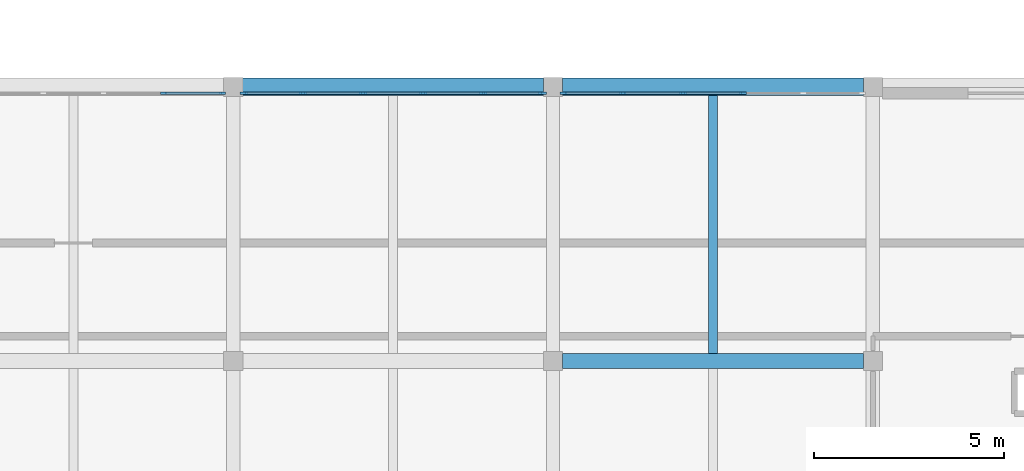
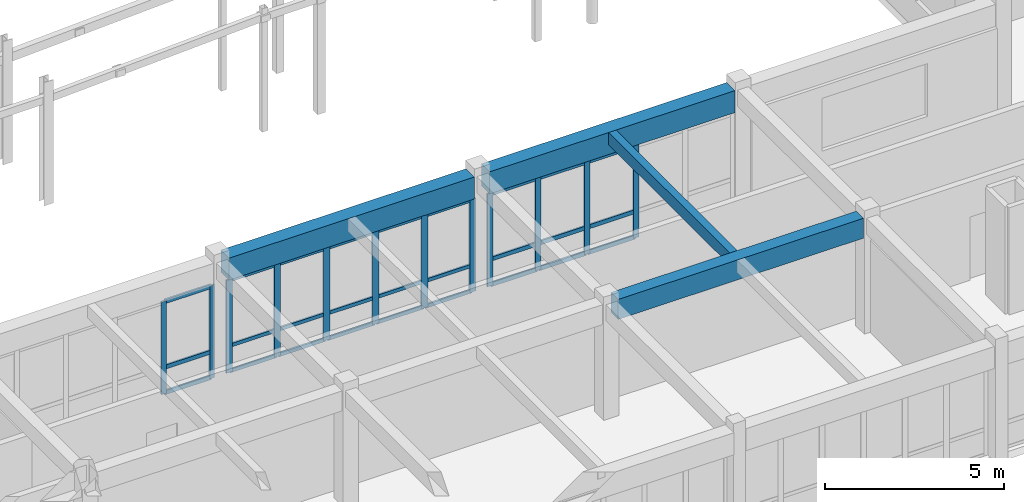
# One storey, part 32 of 89: 39 members, 4 beams, 3 elements without a shape of their own.
"""IFC4 building model written with IfcOpenShell, lengths in metres."""

from ifc_helpers import new_model, si_unit, direction, frame, origin, origin_2d, place, context, subcontext, project, spatial, rectangle, extrude, material, material_profile, profile_set, type_object, element, aggregate, save


model = new_model("IFC4")

# Units and contexts
model_context = context("Model", 3, precision=1e-05, world=origin(), true_north=direction((0.0, 1.0)))
body_context = subcontext(model_context, "Body", "Model", "MODEL_VIEW")
ifc_project = project(units=[si_unit("LENGTHUNIT", "METRE"), si_unit("AREAUNIT", "SQUARE_METRE"), si_unit("VOLUMEUNIT", "CUBIC_METRE"), si_unit("PLANEANGLEUNIT", "RADIAN"), si_unit("MASSUNIT", "GRAM", prefix="KILO")], contexts=[model_context])

# Site, building, storey
site_placement = place(None, origin())
site = spatial("IfcSite", under=ifc_project, at=site_placement, CompositionType="ELEMENT")
building_placement = place(site_placement, origin())
building = spatial("IfcBuilding", under=site, at=building_placement, Name="Malvenik Polytechnic", CompositionType="ELEMENT")
storey_placement = place(building_placement, frame((0.0, 0.0, 13.5)))
storey = spatial("IfcBuildingStorey", under=building, at=storey_placement, Name="L03", CompositionType="ELEMENT", Elevation=13.5)

# Curtain wall, members
ifc_material_1 = material(Name="Anodised aluminium 6060-T6", Category="aluminium")
curtain_wall_type = type_object("IfcCurtainWallType", Name="ARC-CW-CW-02", PredefinedType="NOTDEFINED", material=ifc_material_1)
curtain_wall_1_placement = place(storey_placement, origin())
curtain_wall_1 = element("IfcCurtainWall", 1, at=curtain_wall_1_placement, inside=storey, type_object=curtain_wall_type, Name="Unitised Curtain Wall CW-02 L03 #164", PredefinedType="NOTDEFINED")
ifc_material_2 = material(Name="Anodised aluminium", Category="aluminium")
ifc_material_profile_1 = material_profile(ifc_material_2, rectangle(XDim=0.06005859375, YDim=0.159912109375, at=origin_2d()), Name="ALU MULLION 60x160")
ifc_profile_set_1 = profile_set([ifc_material_profile_1], Name="Anodised aluminium")
member_type_1 = type_object("IfcMemberType", Name="ARC-CWM-160", PredefinedType="MULLION", material=ifc_profile_set_1)
member_1_placement = place(storey_placement, frame((48.5712890625, 93.429931640625, 0.0), z_axis=(0.0, 0.0, 1.0), x_axis=(0.0, 1.0, 0.0)))
member_1 = element("IfcMember", 2, at=member_1_placement, type_object=member_type_1, Name="CW-02 mullion 5", PredefinedType="MULLION", context=body_context, shape_type="SweptSolid", body=[
    extrude(rectangle(XDim=0.06005859375, YDim=0.159912109375, at=origin_2d()), origin(), (0.0, 0.0, 1.0), 3.159912109375),
])
member_2_placement = place(storey_placement, frame((50.1220703125, 93.429931640625, 0.0), z_axis=(0.0, 0.0, 1.0), x_axis=(0.0, 1.0, 0.0)))
member_2 = element("IfcMember", 3, at=member_2_placement, type_object=member_type_1, Name="CW-02 mullion 6", PredefinedType="MULLION", context=body_context, shape_type="SweptSolid", body=[
    extrude(rectangle(XDim=0.06005859375, YDim=0.159912109375, at=origin_2d()), origin(), (0.0, 0.0, 1.0), 3.159912109375),
])

curtain_wall_2_placement = place(storey_placement, origin())
curtain_wall_2 = element("IfcCurtainWall", 4, at=curtain_wall_2_placement, inside=storey, type_object=curtain_wall_type, Name="Unitised Curtain Wall CW-02 L03 #166", PredefinedType="NOTDEFINED")
ifc_material_profile_2 = material_profile(ifc_material_2, rectangle(XDim=0.06005859375, YDim=0.179931640625, at=origin_2d()), Name="ALU MULLION 60x180")
ifc_profile_set_2 = profile_set([ifc_material_profile_2], Name="Anodised aluminium")
member_type_2 = type_object("IfcMemberType", Name="ARC-CWM-180", PredefinedType="MULLION", material=ifc_profile_set_2)
member_3_placement = place(storey_placement, frame((59.077880859375, 93.429931640625, 0.0), z_axis=(0.0, 0.0, 1.0), x_axis=(0.0, 1.0, 0.0)))
member_3 = element("IfcMember", 5, at=member_3_placement, type_object=member_type_2, Name="CW-02 mullion 1", PredefinedType="MULLION", context=body_context, shape_type="SweptSolid", body=[
    extrude(rectangle(XDim=0.06005859375, YDim=0.179931640625, at=origin_2d()), origin(), (0.0, 0.0, 1.0), 3.159912109375),
])
member_4_placement = place(storey_placement, frame((60.62890625, 93.429931640625, 0.0), z_axis=(0.0, 0.0, 1.0), x_axis=(0.0, 1.0, 0.0)))
member_4 = element("IfcMember", 6, at=member_4_placement, type_object=member_type_2, Name="CW-02 mullion 2", PredefinedType="MULLION", context=body_context, shape_type="SweptSolid", body=[
    extrude(rectangle(XDim=0.06005859375, YDim=0.179931640625, at=origin_2d()), origin(), (0.0, 0.0, 1.0), 3.159912109375),
])
member_5_placement = place(storey_placement, frame((62.209716796875, 93.429931640625, 0.0), z_axis=(0.0, 0.0, 1.0), x_axis=(0.0, 1.0, 0.0)))
member_5 = element("IfcMember", 7, at=member_5_placement, type_object=member_type_2, Name="CW-02 mullion 3", PredefinedType="MULLION", context=body_context, shape_type="SweptSolid", body=[
    extrude(rectangle(XDim=0.06005859375, YDim=0.179931640625, at=origin_2d()), origin(), (0.0, 0.0, 1.0), 3.159912109375),
])
member_6_placement = place(storey_placement, frame((63.790283203125, 93.429931640625, 0.0), z_axis=(0.0, 0.0, 1.0), x_axis=(0.0, 1.0, 0.0)))
member_6 = element("IfcMember", 8, at=member_6_placement, type_object=member_type_2, Name="CW-02 mullion 4", PredefinedType="MULLION", context=body_context, shape_type="SweptSolid", body=[
    extrude(rectangle(XDim=0.06005859375, YDim=0.179931640625, at=origin_2d()), origin(), (0.0, 0.0, 1.0), 3.159912109375),
])

curtain_wall_3_placement = place(storey_placement, origin())
curtain_wall_3 = element("IfcCurtainWall", 9, at=curtain_wall_3_placement, inside=storey, type_object=curtain_wall_type, Name="Unitised Curtain Wall CW-02 L03 #165", PredefinedType="NOTDEFINED")
ifc_material_profile_3 = material_profile(ifc_material_2, rectangle(XDim=0.06005859375, YDim=0.199951171875, at=origin_2d()), Name="ALU MULLION 60x200")
ifc_profile_set_3 = profile_set([ifc_material_profile_3], Name="Anodised aluminium")
member_type_3 = type_object("IfcMemberType", Name="ARC-CWM-200", PredefinedType="MULLION", material=ifc_profile_set_3)
member_7_placement = place(storey_placement, frame((50.677978515625, 93.429931640625, 0.0), z_axis=(0.0, 0.0, 1.0), x_axis=(0.0, 1.0, 0.0)))
member_7 = element("IfcMember", 10, at=member_7_placement, type_object=member_type_3, Name="CW-02 mullion 1", PredefinedType="MULLION", context=body_context, shape_type="SweptSolid", body=[
    extrude(rectangle(XDim=0.06005859375, YDim=0.199951171875, at=origin_2d()), origin(), (0.0, 0.0, 1.0), 3.159912109375),
])
member_8_placement = place(storey_placement, frame((52.228759765625, 93.429931640625, 0.0), z_axis=(0.0, 0.0, 1.0), x_axis=(0.0, 1.0, 0.0)))
member_8 = element("IfcMember", 11, at=member_8_placement, type_object=member_type_3, Name="CW-02 mullion 2", PredefinedType="MULLION", context=body_context, shape_type="SweptSolid", body=[
    extrude(rectangle(XDim=0.06005859375, YDim=0.199951171875, at=origin_2d()), origin(), (0.0, 0.0, 1.0), 3.159912109375),
])
member_9_placement = place(storey_placement, frame((53.8095703125, 93.429931640625, 0.0), z_axis=(0.0, 0.0, 1.0), x_axis=(0.0, 1.0, 0.0)))
member_9 = element("IfcMember", 12, at=member_9_placement, type_object=member_type_3, Name="CW-02 mullion 3", PredefinedType="MULLION", context=body_context, shape_type="SweptSolid", body=[
    extrude(rectangle(XDim=0.06005859375, YDim=0.199951171875, at=origin_2d()), origin(), (0.0, 0.0, 1.0), 3.159912109375),
])
member_10_placement = place(storey_placement, frame((55.390380859375, 93.429931640625, 0.0), z_axis=(0.0, 0.0, 1.0), x_axis=(0.0, 1.0, 0.0)))
member_10 = element("IfcMember", 13, at=member_10_placement, type_object=member_type_3, Name="CW-02 mullion 4", PredefinedType="MULLION", context=body_context, shape_type="SweptSolid", body=[
    extrude(rectangle(XDim=0.06005859375, YDim=0.199951171875, at=origin_2d()), origin(), (0.0, 0.0, 1.0), 3.159912109375),
])
member_11_placement = place(storey_placement, frame((56.97119140625, 93.429931640625, 0.0), z_axis=(0.0, 0.0, 1.0), x_axis=(0.0, 1.0, 0.0)))
member_11 = element("IfcMember", 14, at=member_11_placement, type_object=member_type_3, Name="CW-02 mullion 5", PredefinedType="MULLION", context=body_context, shape_type="SweptSolid", body=[
    extrude(rectangle(XDim=0.06005859375, YDim=0.199951171875, at=origin_2d()), origin(), (0.0, 0.0, 1.0), 3.159912109375),
])
member_12_placement = place(storey_placement, frame((58.52197265625, 93.429931640625, 0.0), z_axis=(0.0, 0.0, 1.0), x_axis=(0.0, 1.0, 0.0)))
member_12 = element("IfcMember", 15, at=member_12_placement, type_object=member_type_3, Name="CW-02 mullion 6", PredefinedType="MULLION", context=body_context, shape_type="SweptSolid", body=[
    extrude(rectangle(XDim=0.06005859375, YDim=0.199951171875, at=origin_2d()), origin(), (0.0, 0.0, 1.0), 3.159912109375),
])
ifc_material_profile_4 = material_profile(ifc_material_2, rectangle(XDim=0.06005859375, YDim=0.1201171875, at=origin_2d()), Name="ALU TRANSOM 60x120")
ifc_profile_set_4 = profile_set([ifc_material_profile_4], Name="Anodised aluminium")
member_type_4 = type_object("IfcMemberType", Name="ARC-CWT-120", PredefinedType="USERDEFINED", material=ifc_profile_set_4)
member_13_placement = place(storey_placement, frame((50.7080078125, 93.429931640625, 0.030029296875), z_axis=(1.0, 0.0, 0.0), x_axis=(0.0, 1.0, 0.0)))
member_13 = element("IfcMember", 16, at=member_13_placement, type_object=member_type_4, Name="CW-02 transom 1.1", ObjectType="TRANSOM", PredefinedType="USERDEFINED", context=body_context, shape_type="SweptSolid", body=[
    extrude(rectangle(XDim=0.06005859375, YDim=0.1201171875, at=origin_2d()), origin(), (0.0, 0.0, 1.0), 1.49072265625),
])
member_14_placement = place(storey_placement, frame((50.7080078125, 93.429931640625, 0.89990234375), z_axis=(1.0, 0.0, 0.0), x_axis=(0.0, 1.0, 0.0)))
member_14 = element("IfcMember", 17, at=member_14_placement, type_object=member_type_4, Name="CW-02 transom 1.2", ObjectType="TRANSOM", PredefinedType="USERDEFINED", context=body_context, shape_type="SweptSolid", body=[
    extrude(rectangle(XDim=0.06005859375, YDim=0.1201171875, at=origin_2d()), origin(), (0.0, 0.0, 1.0), 1.49072265625),
])
member_15_placement = place(storey_placement, frame((50.7080078125, 93.429931640625, 3.1298828125), z_axis=(1.0, 0.0, 0.0), x_axis=(0.0, 1.0, 0.0)))
member_15 = element("IfcMember", 18, at=member_15_placement, type_object=member_type_4, Name="CW-02 transom 1.3", ObjectType="TRANSOM", PredefinedType="USERDEFINED", context=body_context, shape_type="SweptSolid", body=[
    extrude(rectangle(XDim=0.06005859375, YDim=0.1201171875, at=origin_2d()), origin(), (0.0, 0.0, 1.0), 1.49072265625),
])
member_16_placement = place(storey_placement, frame((52.2587890625, 93.429931640625, 0.030029296875), z_axis=(1.0, 0.0, 0.0), x_axis=(0.0, 1.0, 0.0)))
member_16 = element("IfcMember", 19, at=member_16_placement, type_object=member_type_4, Name="CW-02 transom 2.1", ObjectType="TRANSOM", PredefinedType="USERDEFINED", context=body_context, shape_type="SweptSolid", body=[
    extrude(rectangle(XDim=0.06005859375, YDim=0.1201171875, at=origin_2d()), origin(), (0.0, 0.0, 1.0), 1.520751953125),
])
member_17_placement = place(storey_placement, frame((52.2587890625, 93.429931640625, 0.89990234375), z_axis=(1.0, 0.0, 0.0), x_axis=(0.0, 1.0, 0.0)))
member_17 = element("IfcMember", 20, at=member_17_placement, type_object=member_type_4, Name="CW-02 transom 2.2", ObjectType="TRANSOM", PredefinedType="USERDEFINED", context=body_context, shape_type="SweptSolid", body=[
    extrude(rectangle(XDim=0.06005859375, YDim=0.1201171875, at=origin_2d()), origin(), (0.0, 0.0, 1.0), 1.520751953125),
])
member_18_placement = place(storey_placement, frame((52.2587890625, 93.429931640625, 3.1298828125), z_axis=(1.0, 0.0, 0.0), x_axis=(0.0, 1.0, 0.0)))
member_18 = element("IfcMember", 21, at=member_18_placement, type_object=member_type_4, Name="CW-02 transom 2.3", ObjectType="TRANSOM", PredefinedType="USERDEFINED", context=body_context, shape_type="SweptSolid", body=[
    extrude(rectangle(XDim=0.06005859375, YDim=0.1201171875, at=origin_2d()), origin(), (0.0, 0.0, 1.0), 1.520751953125),
])
member_19_placement = place(storey_placement, frame((53.839599609375, 93.429931640625, 0.030029296875), z_axis=(1.0, 0.0, 0.0), x_axis=(0.0, 1.0, 0.0)))
member_19 = element("IfcMember", 22, at=member_19_placement, type_object=member_type_4, Name="CW-02 transom 3.1", ObjectType="TRANSOM", PredefinedType="USERDEFINED", context=body_context, shape_type="SweptSolid", body=[
    extrude(rectangle(XDim=0.06005859375, YDim=0.1201171875, at=origin_2d()), origin(), (0.0, 0.0, 1.0), 1.520751953125),
])
member_20_placement = place(storey_placement, frame((53.839599609375, 93.429931640625, 0.89990234375), z_axis=(1.0, 0.0, 0.0), x_axis=(0.0, 1.0, 0.0)))
member_20 = element("IfcMember", 23, at=member_20_placement, type_object=member_type_4, Name="CW-02 transom 3.2", ObjectType="TRANSOM", PredefinedType="USERDEFINED", context=body_context, shape_type="SweptSolid", body=[
    extrude(rectangle(XDim=0.06005859375, YDim=0.1201171875, at=origin_2d()), origin(), (0.0, 0.0, 1.0), 1.520751953125),
])
member_21_placement = place(storey_placement, frame((53.839599609375, 93.429931640625, 3.1298828125), z_axis=(1.0, 0.0, 0.0), x_axis=(0.0, 1.0, 0.0)))
member_21 = element("IfcMember", 24, at=member_21_placement, type_object=member_type_4, Name="CW-02 transom 3.3", ObjectType="TRANSOM", PredefinedType="USERDEFINED", context=body_context, shape_type="SweptSolid", body=[
    extrude(rectangle(XDim=0.06005859375, YDim=0.1201171875, at=origin_2d()), origin(), (0.0, 0.0, 1.0), 1.520751953125),
])
member_22_placement = place(storey_placement, frame((55.42041015625, 93.429931640625, 0.030029296875), z_axis=(1.0, 0.0, 0.0), x_axis=(0.0, 1.0, 0.0)))
member_22 = element("IfcMember", 25, at=member_22_placement, type_object=member_type_4, Name="CW-02 transom 4.1", ObjectType="TRANSOM", PredefinedType="USERDEFINED", context=body_context, shape_type="SweptSolid", body=[
    extrude(rectangle(XDim=0.06005859375, YDim=0.1201171875, at=origin_2d()), origin(), (0.0, 0.0, 1.0), 1.520751953125),
])
member_23_placement = place(storey_placement, frame((55.42041015625, 93.429931640625, 0.89990234375), z_axis=(1.0, 0.0, 0.0), x_axis=(0.0, 1.0, 0.0)))
member_23 = element("IfcMember", 26, at=member_23_placement, type_object=member_type_4, Name="CW-02 transom 4.2", ObjectType="TRANSOM", PredefinedType="USERDEFINED", context=body_context, shape_type="SweptSolid", body=[
    extrude(rectangle(XDim=0.06005859375, YDim=0.1201171875, at=origin_2d()), origin(), (0.0, 0.0, 1.0), 1.520751953125),
])
member_24_placement = place(storey_placement, frame((55.42041015625, 93.429931640625, 3.1298828125), z_axis=(1.0, 0.0, 0.0), x_axis=(0.0, 1.0, 0.0)))
member_24 = element("IfcMember", 27, at=member_24_placement, type_object=member_type_4, Name="CW-02 transom 4.3", ObjectType="TRANSOM", PredefinedType="USERDEFINED", context=body_context, shape_type="SweptSolid", body=[
    extrude(rectangle(XDim=0.06005859375, YDim=0.1201171875, at=origin_2d()), origin(), (0.0, 0.0, 1.0), 1.520751953125),
])
member_25_placement = place(storey_placement, frame((57.001220703125, 93.429931640625, 0.030029296875), z_axis=(1.0, 0.0, 0.0), x_axis=(0.0, 1.0, 0.0)))
member_25 = element("IfcMember", 28, at=member_25_placement, type_object=member_type_4, Name="CW-02 transom 5.1", ObjectType="TRANSOM", PredefinedType="USERDEFINED", context=body_context, shape_type="SweptSolid", body=[
    extrude(rectangle(XDim=0.06005859375, YDim=0.1201171875, at=origin_2d()), origin(), (0.0, 0.0, 1.0), 1.49072265625),
])
member_26_placement = place(storey_placement, frame((57.001220703125, 93.429931640625, 0.89990234375), z_axis=(1.0, 0.0, 0.0), x_axis=(0.0, 1.0, 0.0)))
member_26 = element("IfcMember", 29, at=member_26_placement, type_object=member_type_4, Name="CW-02 transom 5.2", ObjectType="TRANSOM", PredefinedType="USERDEFINED", context=body_context, shape_type="SweptSolid", body=[
    extrude(rectangle(XDim=0.06005859375, YDim=0.1201171875, at=origin_2d()), origin(), (0.0, 0.0, 1.0), 1.49072265625),
])
member_27_placement = place(storey_placement, frame((57.001220703125, 93.429931640625, 3.1298828125), z_axis=(1.0, 0.0, 0.0), x_axis=(0.0, 1.0, 0.0)))
member_27 = element("IfcMember", 30, at=member_27_placement, type_object=member_type_4, Name="CW-02 transom 5.3", ObjectType="TRANSOM", PredefinedType="USERDEFINED", context=body_context, shape_type="SweptSolid", body=[
    extrude(rectangle(XDim=0.06005859375, YDim=0.1201171875, at=origin_2d()), origin(), (0.0, 0.0, 1.0), 1.49072265625),
])
aggregate(curtain_wall_3, [member_7, member_8, member_9, member_10, member_11, member_12, member_13, member_14, member_15, member_16, member_17, member_18, member_19, member_20, member_21, member_22, member_23, member_24, member_25, member_26, member_27])

# Member
ifc_material_profile_5 = material_profile(ifc_material_2, rectangle(XDim=0.06005859375, YDim=0.139892578125, at=origin_2d()), Name="ALU TRANSOM 60x140")
ifc_profile_set_5 = profile_set([ifc_material_profile_5], Name="Anodised aluminium")
member_type_5 = type_object("IfcMemberType", Name="ARC-CWT-140", PredefinedType="USERDEFINED", material=ifc_profile_set_5)
member_28_placement = place(storey_placement, frame((48.601318359375, 93.429931640625, 0.030029296875), z_axis=(1.0, 0.0, 0.0), x_axis=(0.0, 1.0, 0.0)))
member_28 = element("IfcMember", 31, at=member_28_placement, type_object=member_type_5, Name="CW-02 transom 5.1", ObjectType="TRANSOM", PredefinedType="USERDEFINED", context=body_context, shape_type="SweptSolid", body=[
    extrude(rectangle(XDim=0.06005859375, YDim=0.139892578125, at=origin_2d()), origin(), (0.0, 0.0, 1.0), 1.49072265625),
])

member_29_placement = place(storey_placement, frame((48.601318359375, 93.429931640625, 0.89990234375), z_axis=(1.0, 0.0, 0.0), x_axis=(0.0, 1.0, 0.0)))
member_29 = element("IfcMember", 32, at=member_29_placement, type_object=member_type_5, Name="CW-02 transom 5.2", ObjectType="TRANSOM", PredefinedType="USERDEFINED", context=body_context, shape_type="SweptSolid", body=[
    extrude(rectangle(XDim=0.06005859375, YDim=0.139892578125, at=origin_2d()), origin(), (0.0, 0.0, 1.0), 1.49072265625),
])

member_30_placement = place(storey_placement, frame((48.601318359375, 93.429931640625, 3.1298828125), z_axis=(1.0, 0.0, 0.0), x_axis=(0.0, 1.0, 0.0)))
member_30 = element("IfcMember", 33, at=member_30_placement, type_object=member_type_5, Name="CW-02 transom 5.3", ObjectType="TRANSOM", PredefinedType="USERDEFINED", context=body_context, shape_type="SweptSolid", body=[
    extrude(rectangle(XDim=0.06005859375, YDim=0.139892578125, at=origin_2d()), origin(), (0.0, 0.0, 1.0), 1.49072265625),
])

aggregate(curtain_wall_1, [member_1, member_2, member_28, member_29, member_30])

member_31_placement = place(storey_placement, frame((59.10791015625, 93.429931640625, 0.030029296875), z_axis=(1.0, 0.0, 0.0), x_axis=(0.0, 1.0, 0.0)))
member_31 = element("IfcMember", 34, at=member_31_placement, type_object=member_type_5, Name="CW-02 transom 1.1", ObjectType="TRANSOM", PredefinedType="USERDEFINED", context=body_context, shape_type="SweptSolid", body=[
    extrude(rectangle(XDim=0.06005859375, YDim=0.139892578125, at=origin_2d()), origin(), (0.0, 0.0, 1.0), 1.490966796875),
])

member_32_placement = place(storey_placement, frame((59.10791015625, 93.429931640625, 0.89990234375), z_axis=(1.0, 0.0, 0.0), x_axis=(0.0, 1.0, 0.0)))
member_32 = element("IfcMember", 35, at=member_32_placement, type_object=member_type_5, Name="CW-02 transom 1.2", ObjectType="TRANSOM", PredefinedType="USERDEFINED", context=body_context, shape_type="SweptSolid", body=[
    extrude(rectangle(XDim=0.06005859375, YDim=0.139892578125, at=origin_2d()), origin(), (0.0, 0.0, 1.0), 1.490966796875),
])

member_33_placement = place(storey_placement, frame((59.10791015625, 93.429931640625, 3.1298828125), z_axis=(1.0, 0.0, 0.0), x_axis=(0.0, 1.0, 0.0)))
member_33 = element("IfcMember", 36, at=member_33_placement, type_object=member_type_5, Name="CW-02 transom 1.3", ObjectType="TRANSOM", PredefinedType="USERDEFINED", context=body_context, shape_type="SweptSolid", body=[
    extrude(rectangle(XDim=0.06005859375, YDim=0.139892578125, at=origin_2d()), origin(), (0.0, 0.0, 1.0), 1.490966796875),
])

member_34_placement = place(storey_placement, frame((60.65869140625, 93.429931640625, 0.030029296875), z_axis=(1.0, 0.0, 0.0), x_axis=(0.0, 1.0, 0.0)))
member_34 = element("IfcMember", 37, at=member_34_placement, type_object=member_type_5, Name="CW-02 transom 2.1", ObjectType="TRANSOM", PredefinedType="USERDEFINED", context=body_context, shape_type="SweptSolid", body=[
    extrude(rectangle(XDim=0.06005859375, YDim=0.139892578125, at=origin_2d()), origin(), (0.0, 0.0, 1.0), 1.52099609375),
])

member_35_placement = place(storey_placement, frame((60.65869140625, 93.429931640625, 0.89990234375), z_axis=(1.0, 0.0, 0.0), x_axis=(0.0, 1.0, 0.0)))
member_35 = element("IfcMember", 38, at=member_35_placement, type_object=member_type_5, Name="CW-02 transom 2.2", ObjectType="TRANSOM", PredefinedType="USERDEFINED", context=body_context, shape_type="SweptSolid", body=[
    extrude(rectangle(XDim=0.06005859375, YDim=0.139892578125, at=origin_2d()), origin(), (0.0, 0.0, 1.0), 1.52099609375),
])

member_36_placement = place(storey_placement, frame((60.65869140625, 93.429931640625, 3.1298828125), z_axis=(1.0, 0.0, 0.0), x_axis=(0.0, 1.0, 0.0)))
member_36 = element("IfcMember", 39, at=member_36_placement, type_object=member_type_5, Name="CW-02 transom 2.3", ObjectType="TRANSOM", PredefinedType="USERDEFINED", context=body_context, shape_type="SweptSolid", body=[
    extrude(rectangle(XDim=0.06005859375, YDim=0.139892578125, at=origin_2d()), origin(), (0.0, 0.0, 1.0), 1.52099609375),
])

member_37_placement = place(storey_placement, frame((62.239501953125, 93.429931640625, 0.030029296875), z_axis=(1.0, 0.0, 0.0), x_axis=(0.0, 1.0, 0.0)))
member_37 = element("IfcMember", 40, at=member_37_placement, type_object=member_type_5, Name="CW-02 transom 3.1", ObjectType="TRANSOM", PredefinedType="USERDEFINED", context=body_context, shape_type="SweptSolid", body=[
    extrude(rectangle(XDim=0.06005859375, YDim=0.139892578125, at=origin_2d()), origin(), (0.0, 0.0, 1.0), 1.52099609375),
])

member_38_placement = place(storey_placement, frame((62.239501953125, 93.429931640625, 0.89990234375), z_axis=(1.0, 0.0, 0.0), x_axis=(0.0, 1.0, 0.0)))
member_38 = element("IfcMember", 41, at=member_38_placement, type_object=member_type_5, Name="CW-02 transom 3.2", ObjectType="TRANSOM", PredefinedType="USERDEFINED", context=body_context, shape_type="SweptSolid", body=[
    extrude(rectangle(XDim=0.06005859375, YDim=0.139892578125, at=origin_2d()), origin(), (0.0, 0.0, 1.0), 1.52099609375),
])

member_39_placement = place(storey_placement, frame((62.239501953125, 93.429931640625, 3.1298828125), z_axis=(1.0, 0.0, 0.0), x_axis=(0.0, 1.0, 0.0)))
member_39 = element("IfcMember", 42, at=member_39_placement, type_object=member_type_5, Name="CW-02 transom 3.3", ObjectType="TRANSOM", PredefinedType="USERDEFINED", context=body_context, shape_type="SweptSolid", body=[
    extrude(rectangle(XDim=0.06005859375, YDim=0.139892578125, at=origin_2d()), origin(), (0.0, 0.0, 1.0), 1.52099609375),
])

aggregate(curtain_wall_2, [member_3, member_4, member_5, member_6, member_31, member_32, member_33, member_34, member_35, member_36, member_37, member_38, member_39])

# Beams
ifc_material_3 = material(Name="Concrete C35/45", Category="concrete")
ifc_material_profile_6 = material_profile(ifc_material_3, rectangle(XDim=0.39990234375, YDim=0.679931640625, at=origin_2d()), Name="RC BM 400x680")
ifc_profile_set_6 = profile_set([ifc_material_profile_6], Name="Concrete C35/45")
beam_type_1 = type_object("IfcBeamType", Name="STR-BM-B-05", PredefinedType="BEAM", material=ifc_profile_set_6)
beam_1_placement = place(storey_placement, frame((59.048095703125, 86.39990234375, 3.580078125), z_axis=(1.0, 0.0, 0.0), x_axis=(0.0, 1.0, 0.0)))
element("IfcBeam", 43, at=beam_1_placement, inside=storey, type_object=beam_type_1, Name="Primary Beam B-05 L03 #1655", PredefinedType="BEAM", context=body_context, shape_type="SweptSolid", body=[
    extrude(rectangle(XDim=0.39990234375, YDim=0.679931640625, at=origin_2d()), origin(), (0.0, 0.0, 1.0), 7.90380859375),
])
ifc_material_4 = material(Name="Concrete C30/37", Category="concrete")
ifc_material_profile_7 = material_profile(ifc_material_4, rectangle(XDim=0.239990234375, YDim=0.419921875, at=origin_2d()), Name="RC JST 240x420")
ifc_profile_set_7 = profile_set([ifc_material_profile_7], Name="Concrete C30/37")
beam_type_2 = type_object("IfcBeamType", Name="STR-BM-J-03", PredefinedType="JOIST", material=ifc_profile_set_7)
beam_2_placement = place(storey_placement, frame((63.0, 86.597900390625, 3.7099609375), z_axis=(0.0, 1.0, 0.0), x_axis=(-1.0, 0.0, 0.0)))
element("IfcBeam", 44, at=beam_2_placement, inside=storey, type_object=beam_type_2, Name="Secondary Rib Joist J-03 L03 #1805", PredefinedType="JOIST", context=body_context, shape_type="SweptSolid", body=[
    extrude(rectangle(XDim=0.239990234375, YDim=0.419921875, at=origin_2d()), origin(), (0.0, 0.0, 1.0), 6.774169921875),
])
ifc_material_5 = material(Name="Precast concrete C40/50", Category="concrete")
ifc_material_profile_8 = material_profile(ifc_material_5, rectangle(XDim=0.4599609375, YDim=0.75, at=origin_2d()), Name="PC SPN 460x750")
ifc_profile_set_8 = profile_set([ifc_material_profile_8], Name="Precast concrete C40/50")
beam_type_3 = type_object("IfcBeamType", Name="STR-BM-SP-02", PredefinedType="SPANDREL", material=ifc_profile_set_8)
beam_3_placement = place(storey_placement, frame((50.64794921875, 93.60009765625, 3.544921875), z_axis=(1.0, 0.0, 0.0), x_axis=(0.0, 1.0, 0.0)))
element("IfcBeam", 45, at=beam_3_placement, inside=storey, type_object=beam_type_3, Name="Primary Beam SP-02 L03 #1668", PredefinedType="SPANDREL", context=body_context, shape_type="SweptSolid", body=[
    extrude(rectangle(XDim=0.4599609375, YDim=0.75, at=origin_2d()), origin(), (0.0, 0.0, 1.0), 7.904052734375),
])
beam_4_placement = place(storey_placement, frame((59.048095703125, 93.60009765625, 3.544921875), z_axis=(1.0, 0.0, 0.0), x_axis=(0.0, 1.0, 0.0)))
element("IfcBeam", 46, at=beam_4_placement, inside=storey, type_object=beam_type_3, Name="Primary Beam SP-02 L03 #1669", PredefinedType="SPANDREL", context=body_context, shape_type="SweptSolid", body=[
    extrude(rectangle(XDim=0.4599609375, YDim=0.75, at=origin_2d()), origin(), (0.0, 0.0, 1.0), 7.90380859375),
])

save(model, "model.ifc")
